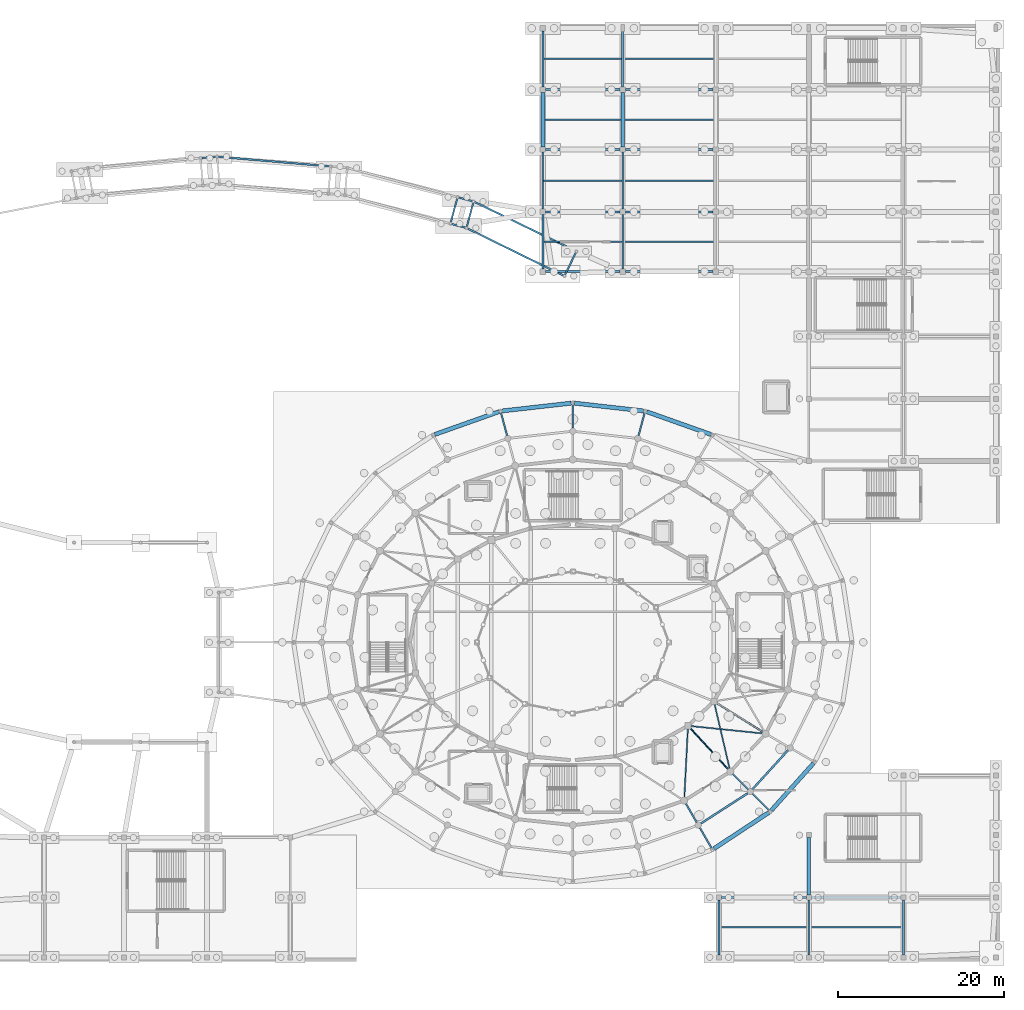
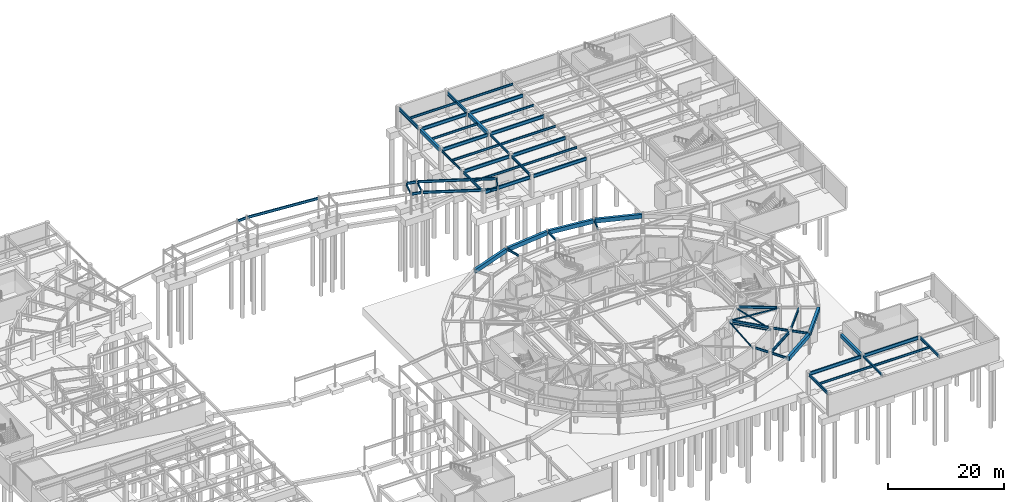
# One storey, part 32 of 68: 58 beams, 4 members.
"""IFC4 building model written with IfcOpenShell, lengths in metres."""

from ifc_helpers import new_model, si_unit, direction, frame, origin, origin_2d, place, context, subcontext, project, spatial, rectangle, hollow_rectangle, i_section, extrude, material, material_profile, profile_set, type_object, element, save


model = new_model("IFC4")

# Units and contexts
model_context = context("Model", 3, precision=1e-05, world=origin(), true_north=direction((0.0, 1.0)))
body_context = subcontext(model_context, "Body", "Model", "MODEL_VIEW")
ifc_project = project(units=[si_unit("LENGTHUNIT", "METRE"), si_unit("AREAUNIT", "SQUARE_METRE"), si_unit("VOLUMEUNIT", "CUBIC_METRE"), si_unit("PLANEANGLEUNIT", "RADIAN"), si_unit("MASSUNIT", "GRAM", prefix="KILO")], contexts=[model_context])

# Site, building, storey
site_placement = place(None, origin())
site = spatial("IfcSite", under=ifc_project, at=site_placement, CompositionType="ELEMENT")
building_placement = place(site_placement, origin())
building = spatial("IfcBuilding", under=site, at=building_placement, Name="Cinderbank Siding Concert Hall", CompositionType="ELEMENT")
storey_placement = place(building_placement, frame((0.0, 0.0, -4.800048828125)))
storey = spatial("IfcBuildingStorey", under=building, at=storey_placement, Name="B1", CompositionType="ELEMENT", Elevation=-4.800048828125)

# Beams
ifc_material_1 = material(Name="Reinforced concrete AS 3600 N50 (50 MPa)", Category="concrete")
ifc_material_profile_1 = material_profile(ifc_material_1, rectangle(XDim=0.449951171875, YDim=0.75, at=origin_2d()), Name="RC-BM-450x750", Category="LoadBearing")
ifc_profile_set_1 = profile_set([ifc_material_profile_1], Name="Reinforced concrete AS 3600 N50 (50 MPa)")
beam_type_1 = type_object("IfcBeamType", Name="BM-RC750 RC-BM-450x750", PredefinedType="BEAM", material=ifc_profile_set_1)
for number, where, z_axis, x_axis, name in (
    (1, (118.39990234375, 103.616943359375, 4.10693359375), (0.0, 1.0, 0.0), (-1.0, 0.0, 0.0), "B1 Beam BM-RC750 #1105"),
    (2, (128.0, 103.616943359375, 4.10693359375), (0.0, 1.0, 0.0), (-1.0, 0.0, 0.0), "B1 Beam BM-RC750 #1113"),
):
    element("IfcBeam", number, at=place(storey_placement, frame(where, z_axis=z_axis, x_axis=x_axis)), inside=storey, type_object=beam_type_1, Name=name, PredefinedType="BEAM", context=body_context, shape_type="SweptSolid", body=[
        extrude(rectangle(XDim=0.449951171875, YDim=0.75, at=origin_2d()), origin(), (0.0, 0.0, 1.0), 6.566162109375),
    ])
beam_1_placement = place(storey_placement, frame((150.39990234375, 13.592041015625, 4.126953125), z_axis=(0.0, 1.0, 0.0), x_axis=(-1.0, 0.0, 0.0)))
element("IfcBeam", 3, at=beam_1_placement, inside=storey, type_object=beam_type_1, Name="B1 Beam BM-RC750 #1161", PredefinedType="BEAM", context=body_context, shape_type="SweptSolid", body=[
    extrude(rectangle(XDim=0.449951171875, YDim=0.75, at=origin_2d()), origin(), (0.0, 0.0, 1.0), 6.916015625),
])
ifc_material_profile_2 = material_profile(ifc_material_1, rectangle(XDim=0.5, YDim=0.85009765625, at=origin_2d()), Name="RC-BM-500x850", Category="LoadBearing")
ifc_profile_set_2 = profile_set([ifc_material_profile_2], Name="Reinforced concrete AS 3600 N50 (50 MPa)")
beam_type_2 = type_object("IfcBeamType", Name="BM-RC850 RC-BM-500x850", PredefinedType="BEAM", material=ifc_profile_set_2)
beam_2_placement = place(storey_placement, frame((138.6162109375, 69.0068359375, 4.09716796875), z_axis=(-0.942369378189, 0.334574289287, 0.0), x_axis=(-0.334574289287, -0.942369378189, 0.0)))
element("IfcBeam", 4, at=beam_2_placement, inside=storey, type_object=beam_type_2, Name="B1 Beam BM-RC850 #254", PredefinedType="BEAM", context=body_context, shape_type="SweptSolid", body=[
    extrude(rectangle(XDim=0.5, YDim=0.85009765625, at=origin_2d()), origin(), (0.0, 0.0, 1.0), 8.209228515625),
])
for number, where, z_axis, x_axis, name in (
    (5, (130.502197265625, 71.840576171875, 4.09716796875), (-0.993693548107, 0.112129980157, 0.0), (-0.112129980157, -0.993693548107, 0.0), "B1 Beam BM-RC850 #255"),
    (6, (121.805908203125, 72.778076171875, 4.09716796875), (-0.993693548107, -0.112129980157, 0.0), (0.112129980157, -0.993693548107, 0.0), "B1 Beam BM-RC850 #256"),
):
    element("IfcBeam", number, at=place(storey_placement, frame(where, z_axis=z_axis, x_axis=x_axis)), inside=storey, type_object=beam_type_2, Name=name, PredefinedType="BEAM", context=body_context, shape_type="SweptSolid", body=[
        extrude(rectangle(XDim=0.5, YDim=0.85009765625, at=origin_2d()), origin(), (0.0, 0.0, 1.0), 8.36083984375),
    ])
beam_3_placement = place(storey_placement, frame((113.119873046875, 71.75341796875, 4.09716796875), z_axis=(-0.942369378189, -0.334574289287, 0.0), x_axis=(0.334574289287, -0.942369378189, 0.0)))
element("IfcBeam", 7, at=beam_3_placement, inside=storey, type_object=beam_type_2, Name="B1 Beam BM-RC850 #257", PredefinedType="BEAM", context=body_context, shape_type="SweptSolid", body=[
    extrude(rectangle(XDim=0.5, YDim=0.85009765625, at=origin_2d()), origin(), (0.0, 0.0, 1.0), 8.209228515625),
])
beam_4_placement = place(storey_placement, frame((138.963134765625, 19.165771484375, 4.0771484375), z_axis=(0.835488051266, 0.549508613392, 0.0), x_axis=(-0.549508613392, 0.835488051266, 0.0)))
element("IfcBeam", 8, at=beam_4_placement, inside=storey, type_object=beam_type_2, Name="B1 Beam BM-RC850 #270", PredefinedType="BEAM", context=body_context, shape_type="SweptSolid", body=[
    extrude(rectangle(XDim=0.5, YDim=0.85009765625, at=origin_2d()), origin(), (0.0, 0.0, 1.0), 7.9384765625),
])
beam_5_placement = place(storey_placement, frame((145.888916015625, 23.78076171875, 4.0771484375), z_axis=(0.66699631625, 0.745061013682, 0.0), x_axis=(-0.745061013682, 0.66699631625, 0.0)))
element("IfcBeam", 9, at=beam_5_placement, inside=storey, type_object=beam_type_2, Name="B1 Beam BM-RC850 #271", PredefinedType="BEAM", context=body_context, shape_type="SweptSolid", body=[
    extrude(rectangle(XDim=0.5, YDim=0.85009765625, at=origin_2d()), origin(), (0.0, 0.0, 1.0), 7.615234375),
])
ifc_material_2 = material(Name="Structural steel AS/NZS 3679.1 Grade 350 (340 MPa)", Category="steel")
ifc_material_profile_3 = material_profile(ifc_material_2, i_section(OverallWidth=0.18994140625, OverallDepth=0.45751953125, WebThickness=0.009033203125, FlangeThickness=0.014404296875, at=origin_2d()), Name="460UB74.6", Category="LoadBearing")
ifc_profile_set_3 = profile_set([ifc_material_profile_3], Name="Structural steel AS/NZS 3679.1 Grade 350 (340 MPa)")
beam_type_3 = type_object("IfcBeamType", Name="BM-UB460 460UB74.6", PredefinedType="BEAM", material=ifc_profile_set_3)
beam_6_placement = place(storey_placement, frame((108.088134765625, 97.412353515625, 4.25146484375), z_axis=(-0.258861178381, -0.965914535726, 0.0), x_axis=(0.965914535726, -0.258861178381, 0.0)))
element("IfcBeam", 10, at=beam_6_placement, inside=storey, type_object=beam_type_3, Name="B1 Beam BM-UB460 #55", PredefinedType="BEAM", context=body_context, shape_type="SweptSolid", body=[
    extrude(i_section(OverallWidth=0.18994140625, OverallDepth=0.45751953125, WebThickness=0.009033203125, FlangeThickness=0.014404296875, at=origin_2d()), origin(), (0.0, 0.0, 1.0), 2.99169921875),
])
beam_7_placement = place(storey_placement, frame((110.020263671875, 96.895263671875, 4.25146484375), z_axis=(-0.258779582665, -0.965936399353, 0.0), x_axis=(0.965936399353, -0.258779582665, 0.0)))
element("IfcBeam", 11, at=beam_7_placement, inside=storey, type_object=beam_type_3, Name="B1 Beam BM-UB460 #58", PredefinedType="BEAM", context=body_context, shape_type="SweptSolid", body=[
    extrude(i_section(OverallWidth=0.18994140625, OverallDepth=0.45751953125, WebThickness=0.009033203125, FlangeThickness=0.014404296875, at=origin_2d()), origin(), (0.0, 0.0, 1.0), 2.99267578125),
])
beam_8_placement = place(storey_placement, frame((122.368408203125, 90.902587890625, 4.25146484375), z_axis=(-0.438478287623, -0.898741782317, 0.0), x_axis=(0.898741782317, -0.438478287623, 0.0)))
element("IfcBeam", 12, at=beam_8_placement, inside=storey, type_object=beam_type_3, Name="B1 Beam BM-UB460 #61", PredefinedType="BEAM", context=body_context, shape_type="SweptSolid", body=[
    extrude(i_section(OverallWidth=0.18994140625, OverallDepth=0.45751953125, WebThickness=0.009033203125, FlangeThickness=0.014404296875, at=origin_2d()), origin(), (0.0, 0.0, 1.0), 2.9921875),
])
for number, where, z_axis, x_axis, name in (
    (13, (118.39990234375, 96.116943359375, 4.25341796875), (0.0, 1.0, 0.0), (-1.0, 0.0, 0.0), "B1 Beam BM-UB460 #1103"),
    (14, (128.0, 96.116943359375, 4.25341796875), (0.0, 1.0, 0.0), (-1.0, 0.0, 0.0), "B1 Beam BM-UB460 #1111"),
):
    element("IfcBeam", number, at=place(storey_placement, frame(where, z_axis=z_axis, x_axis=x_axis)), inside=storey, type_object=beam_type_3, Name=name, PredefinedType="BEAM", context=body_context, shape_type="SweptSolid", body=[
        extrude(i_section(OverallWidth=0.18994140625, OverallDepth=0.45751953125, WebThickness=0.009033203125, FlangeThickness=0.014404296875, at=origin_2d()), origin(), (0.0, 0.0, 1.0), 6.865966796875),
    ])
beam_9_placement = place(storey_placement, frame((150.39990234375, 6.39208984375, 4.2734375), z_axis=(0.0, 1.0, 0.0), x_axis=(-1.0, 0.0, 0.0)))
element("IfcBeam", 15, at=beam_9_placement, inside=storey, type_object=beam_type_3, Name="B1 Beam BM-UB460 #1159", PredefinedType="BEAM", context=body_context, shape_type="SweptSolid", body=[
    extrude(i_section(OverallWidth=0.18994140625, OverallDepth=0.45751953125, WebThickness=0.009033203125, FlangeThickness=0.014404296875, at=origin_2d()), origin(), (0.0, 0.0, 1.0), 6.615966796875),
])
ifc_material_profile_4 = material_profile(ifc_material_2, i_section(OverallWidth=0.19091796875, OverallDepth=0.46044921875, WebThickness=0.010009765625, FlangeThickness=0.01611328125, at=origin_2d()), Name="460UB82.1", Category="LoadBearing")
ifc_profile_set_4 = profile_set([ifc_material_profile_4], Name="Structural steel AS/NZS 3679.1 Grade 350 (340 MPa)")
beam_type_4 = type_object("IfcBeamType", Name="BM-UB460H 460UB82.1", PredefinedType="BEAM", material=ifc_profile_set_4)
for number, where, z_axis, x_axis, name in (
    (16, (135.6083984375, 24.586181640625, 4.251953125), (0.500053675867, -0.86599441179, 0.0), (0.86599441179, 0.500053675867, 0.0), "B1 Beam BM-UB460H #304"),
    (17, (141.245361328125, 28.148681640625, 4.251953125), (0.707153444121, -0.707060115172, 0.0), (0.707060115172, 0.707153444121, 0.0), "B1 Beam BM-UB460H #305"),
):
    element("IfcBeam", number, at=place(storey_placement, frame(where, z_axis=z_axis, x_axis=x_axis)), inside=storey, type_object=beam_type_4, Name=name, PredefinedType="BEAM", context=body_context, shape_type="SweptSolid", body=[
        extrude(i_section(OverallWidth=0.19091796875, OverallDepth=0.46044921875, WebThickness=0.010009765625, FlangeThickness=0.01611328125, at=origin_2d()), origin(), (0.0, 0.0, 1.0), 2.615966796875),
    ])
beam_10_placement = place(storey_placement, frame((129.911376953125, 68.888916015625, 4.291748046875), z_axis=(0.258776220076, 0.965937300203, 0.0), x_axis=(-0.965937300203, 0.258776220076, 0.0)))
element("IfcBeam", 18, at=beam_10_placement, inside=storey, type_object=beam_type_4, Name="B1 Beam BM-UB460H #314", PredefinedType="BEAM", context=body_context, shape_type="SweptSolid", body=[
    extrude(i_section(OverallWidth=0.19091796875, OverallDepth=0.46044921875, WebThickness=0.010009765625, FlangeThickness=0.01611328125, at=origin_2d()), origin(), (0.0, 0.0, 1.0), 2.837890625),
])
beam_11_placement = place(storey_placement, frame((122.0, 69.76708984375, 4.291748046875), z_axis=(0.0, 1.0, 0.0), x_axis=(-1.0, 0.0, 0.0)))
element("IfcBeam", 19, at=beam_11_placement, inside=storey, type_object=beam_type_4, Name="B1 Beam BM-UB460H #315", PredefinedType="BEAM", context=body_context, shape_type="SweptSolid", body=[
    extrude(i_section(OverallWidth=0.19091796875, OverallDepth=0.46044921875, WebThickness=0.010009765625, FlangeThickness=0.01611328125, at=origin_2d()), origin(), (0.0, 0.0, 1.0), 2.837646484375),
])
for number, where, z_axis, x_axis, name in (
    (20, (114.088623046875, 68.888916015625, 4.291748046875), (-0.258776220076, 0.965937300203, 0.0), (-0.965937300203, -0.258776220076, 0.0), "B1 Beam BM-UB460H #316"),
    (21, (137.283447265625, 21.685302734375, 4.291748046875), (0.499988053408, -0.866032301043, 0.0), (0.866032301043, 0.499988053408, 0.0), "B1 Beam BM-UB460H #329"),
):
    element("IfcBeam", number, at=place(storey_placement, frame(where, z_axis=z_axis, x_axis=x_axis)), inside=storey, type_object=beam_type_4, Name=name, PredefinedType="BEAM", context=body_context, shape_type="SweptSolid", body=[
        extrude(i_section(OverallWidth=0.19091796875, OverallDepth=0.46044921875, WebThickness=0.010009765625, FlangeThickness=0.01611328125, at=origin_2d()), origin(), (0.0, 0.0, 1.0), 2.837890625),
    ])
beam_12_placement = place(storey_placement, frame((143.614013671875, 25.780029296875, 4.291748046875), z_axis=(0.707106781187, -0.707106781187, 0.0), x_axis=(0.707106781187, 0.707106781187, 0.0)))
element("IfcBeam", 22, at=beam_12_placement, inside=storey, type_object=beam_type_4, Name="B1 Beam BM-UB460H #330", PredefinedType="BEAM", context=body_context, shape_type="SweptSolid", body=[
    extrude(i_section(OverallWidth=0.19091796875, OverallDepth=0.46044921875, WebThickness=0.010009765625, FlangeThickness=0.01611328125, at=origin_2d()), origin(), (0.0, 0.0, 1.0), 2.838134765625),
])
ifc_material_profile_5 = material_profile(ifc_material_2, i_section(OverallWidth=0.208984375, OverallDepth=0.5283203125, WebThickness=0.009521484375, FlangeThickness=0.01318359375, at=origin_2d()), Name="530UB82.0", Category="LoadBearing")
ifc_profile_set_5 = profile_set([ifc_material_profile_5], Name="Structural steel AS/NZS 3679.1 Grade 350 (340 MPa)")
beam_type_5 = type_object("IfcBeamType", Name="BM-UB530 530UB82.0", PredefinedType="BEAM", material=ifc_profile_set_5)
beam_13_placement = place(storey_placement, frame((77.3544921875, 102.2744140625, 4.216064453125), z_axis=(0.996159508909, 0.087557026051, 0.0), x_axis=(-0.087557026051, 0.996159508909, 0.0)))
element("IfcBeam", 23, at=beam_13_placement, inside=storey, type_object=beam_type_5, Name="B1 Beam BM-UB530 #44", PredefinedType="BEAM", context=body_context, shape_type="SweptSolid", body=[
    extrude(i_section(OverallWidth=0.208984375, OverallDepth=0.5283203125, WebThickness=0.009521484375, FlangeThickness=0.01318359375, at=origin_2d()), origin(), (0.0, 0.0, 1.0), 1.692626953125),
])
beam_14_placement = place(storey_placement, frame((79.347412109375, 102.4228515625, 4.216064453125), z_axis=(0.996347754802, -0.085388239834, 0.0), x_axis=(0.085388239834, 0.996347754802, 0.0)))
element("IfcBeam", 24, at=beam_14_placement, inside=storey, type_object=beam_type_5, Name="B1 Beam BM-UB530 #47", PredefinedType="BEAM", context=body_context, shape_type="SweptSolid", body=[
    extrude(i_section(OverallWidth=0.208984375, OverallDepth=0.5283203125, WebThickness=0.009521484375, FlangeThickness=0.01318359375, at=origin_2d()), origin(), (0.0, 0.0, 1.0), 13.418212890625),
])
for number, where, z_axis, x_axis, name in (
    (25, (108.276611328125, 97.521240234375, 4.216064453125), (0.966004687382, -0.25852455194, 0.0), (0.25852455194, 0.966004687382, 0.0), "B1 Beam BM-UB530 #56"),
    (26, (107.422607421875, 94.333984375, 4.216064453125), (0.965932598469, -0.258793769661, 0.0), (0.258793769661, 0.965932598469, 0.0), "B1 Beam BM-UB530 #57"),
):
    element("IfcBeam", number, at=place(storey_placement, frame(where, z_axis=z_axis, x_axis=x_axis)), inside=storey, type_object=beam_type_5, Name=name, PredefinedType="BEAM", context=body_context, shape_type="SweptSolid", body=[
        extrude(i_section(OverallWidth=0.208984375, OverallDepth=0.5283203125, WebThickness=0.009521484375, FlangeThickness=0.01318359375, at=origin_2d()), origin(), (0.0, 0.0, 1.0), 1.6923828125),
    ])
beam_15_placement = place(storey_placement, frame((110.198486328125, 96.976806640625, 4.216064453125), z_axis=(0.89974368775, -0.436418716779, 0.0), x_axis=(0.436418716779, 0.89974368775, 0.0)))
element("IfcBeam", 27, at=beam_15_placement, inside=storey, type_object=beam_type_5, Name="B1 Beam BM-UB530 #59", PredefinedType="BEAM", context=body_context, shape_type="SweptSolid", body=[
    extrude(i_section(OverallWidth=0.208984375, OverallDepth=0.5283203125, WebThickness=0.009521484375, FlangeThickness=0.01318359375, at=origin_2d()), origin(), (0.0, 0.0, 1.0), 13.447265625),
])
beam_16_placement = place(storey_placement, frame((109.34423828125, 93.7880859375, 4.216064453125), z_axis=(0.897773350895, -0.440457728305, 0.0), x_axis=(0.440457728305, 0.897773350895, 0.0)))
element("IfcBeam", 28, at=beam_16_placement, inside=storey, type_object=beam_type_5, Name="B1 Beam BM-UB530 #60", PredefinedType="BEAM", context=body_context, shape_type="SweptSolid", body=[
    extrude(i_section(OverallWidth=0.208984375, OverallDepth=0.5283203125, WebThickness=0.009521484375, FlangeThickness=0.01318359375, at=origin_2d()), origin(), (0.0, 0.0, 1.0), 12.81689453125),
])
for number, where, z_axis, x_axis, name in (
    (29, (118.39990234375, 88.9169921875, 4.218017578125), (0.0, 1.0, 0.0), (-1.0, 0.0, 0.0), "B1 Beam BM-UB530 #1101"),
    (30, (128.0, 88.9169921875, 4.218017578125), (0.0, 1.0, 0.0), (-1.0, 0.0, 0.0), "B1 Beam BM-UB530 #1109"),
):
    element("IfcBeam", number, at=place(storey_placement, frame(where, z_axis=z_axis, x_axis=x_axis)), inside=storey, type_object=beam_type_5, Name=name, PredefinedType="BEAM", context=body_context, shape_type="SweptSolid", body=[
        extrude(i_section(OverallWidth=0.208984375, OverallDepth=0.5283203125, WebThickness=0.009521484375, FlangeThickness=0.01318359375, at=origin_2d()), origin(), (0.0, 0.0, 1.0), 6.56591796875),
    ])
ifc_material_profile_6 = material_profile(ifc_material_2, i_section(OverallWidth=0.208984375, OverallDepth=0.532958984375, WebThickness=0.01025390625, FlangeThickness=0.015625, at=origin_2d()), Name="530UB92.4", Category="LoadBearing")
ifc_profile_set_6 = profile_set([ifc_material_profile_6], Name="Structural steel AS/NZS 3679.1 Grade 350 (340 MPa)")
beam_type_6 = type_object("IfcBeamType", Name="BM-UB530H 530UB92.4", PredefinedType="BEAM", material=ifc_profile_set_6)
beam_17_placement = place(storey_placement, frame((136.108154296875, 33.689453125, 4.235595703125), z_axis=(0.678286136471, -0.734797874977, 0.0), x_axis=(0.734797874977, 0.678286136471, 0.0)))
element("IfcBeam", 31, at=beam_17_placement, inside=storey, type_object=beam_type_6, Name="B1 Beam BM-UB530H #282", PredefinedType="BEAM", context=body_context, shape_type="SweptSolid", body=[
    extrude(i_section(OverallWidth=0.208984375, OverallDepth=0.532958984375, WebThickness=0.01025390625, FlangeThickness=0.015625, at=origin_2d()), origin(), (0.0, 0.0, 1.0), 6.72216796875),
])
beam_18_placement = place(storey_placement, frame((139.26416015625, 36.718505859375, 4.235595703125), z_axis=(0.847831894761, -0.530265101836, 0.0), x_axis=(0.530265101836, 0.847831894761, 0.0)))
element("IfcBeam", 32, at=beam_18_placement, inside=storey, type_object=beam_type_6, Name="B1 Beam BM-UB530H #283", PredefinedType="BEAM", context=body_context, shape_type="SweptSolid", body=[
    extrude(i_section(OverallWidth=0.208984375, OverallDepth=0.532958984375, WebThickness=0.01025390625, FlangeThickness=0.015625, at=origin_2d()), origin(), (0.0, 0.0, 1.0), 6.595458984375),
])
ifc_material_profile_7 = material_profile(ifc_material_2, i_section(OverallWidth=0.22802734375, OverallDepth=0.602294921875, WebThickness=0.010498046875, FlangeThickness=0.014892578125, at=origin_2d()), Name="610UB101", Category="LoadBearing")
ifc_profile_set_7 = profile_set([ifc_material_profile_7], Name="Structural steel AS/NZS 3679.1 Grade 350 (340 MPa)")
beam_type_7 = type_object("IfcBeamType", Name="BM-UB610 610UB101", PredefinedType="BEAM", material=ifc_profile_set_7)
for number, where, z_axis, x_axis, name in (
    (33, (139.60009765625, 6.39208984375, 4.200927734375), (0.0, 1.0, 0.0), (-1.0, 0.0, 0.0), "B1 Beam BM-UB610 #1157"),
    (34, (161.800048828125, 6.39208984375, 4.200927734375), (0.0, 1.0, 0.0), (-1.0, 0.0, 0.0), "B1 Beam BM-UB610 #1162"),
):
    element("IfcBeam", number, at=place(storey_placement, frame(where, z_axis=z_axis, x_axis=x_axis)), inside=storey, type_object=beam_type_7, Name=name, PredefinedType="BEAM", context=body_context, shape_type="SweptSolid", body=[
        extrude(i_section(OverallWidth=0.22802734375, OverallDepth=0.602294921875, WebThickness=0.010498046875, FlangeThickness=0.014892578125, at=origin_2d()), origin(), (0.0, 0.0, 1.0), 6.615966796875),
    ])
ifc_material_profile_8 = material_profile(ifc_material_2, i_section(OverallWidth=0.22802734375, OverallDepth=0.60693359375, WebThickness=0.01123046875, FlangeThickness=0.017333984375, at=origin_2d()), Name="610UB113", Category="LoadBearing")
ifc_profile_set_8 = profile_set([ifc_material_profile_8], Name="Structural steel AS/NZS 3679.1 Grade 350 (340 MPa)")
beam_type_8 = type_object("IfcBeamType", Name="BM-UB610M 610UB113", PredefinedType="BEAM", material=ifc_profile_set_8)
beam_19_placement = place(storey_placement, frame((137.408447265625, 22.201904296875, 4.178466796875), z_axis=(0.840198253685, 0.542279350984, 0.0), x_axis=(-0.542279350984, 0.840198253685, 0.0)))
element("IfcBeam", 35, at=beam_19_placement, inside=storey, type_object=beam_type_8, Name="B1 Beam BM-UB610M #246", PredefinedType="BEAM", context=body_context, shape_type="SweptSolid", body=[
    extrude(i_section(OverallWidth=0.22802734375, OverallDepth=0.60693359375, WebThickness=0.01123046875, FlangeThickness=0.017333984375, at=origin_2d()), origin(), (0.0, 0.0, 1.0), 6.7099609375),
])
beam_20_placement = place(storey_placement, frame((143.60205078125, 26.310546875, 4.178466796875), z_axis=(0.673967477755, 0.738761016113, 0.0), x_axis=(-0.738761016113, 0.673967477755, 0.0)))
element("IfcBeam", 36, at=beam_20_placement, inside=storey, type_object=beam_type_8, Name="B1 Beam BM-UB610M #247", PredefinedType="BEAM", context=body_context, shape_type="SweptSolid", body=[
    extrude(i_section(OverallWidth=0.22802734375, OverallDepth=0.60693359375, WebThickness=0.01123046875, FlangeThickness=0.017333984375, at=origin_2d()), origin(), (0.0, 0.0, 1.0), 6.38671875),
])
ifc_material_3 = material(Name="Structural steel welded plate section AS/NZS 3679.2 / AS/NZS 3678 Grade 350 (340 MPa)", Category="steel")
ifc_material_profile_9 = material_profile(ifc_material_3, i_section(OverallWidth=0.25, OverallDepth=0.699951171875, WebThickness=0.010009765625, FlangeThickness=0.01611328125, at=origin_2d()), Name="700WB130", Category="LoadBearing")
ifc_profile_set_9 = profile_set([ifc_material_profile_9], Name="Structural steel welded plate section AS/NZS 3679.2 / AS/NZS 3678 Grade 350 (340 MPa)")
beam_type_9 = type_object("IfcBeamType", Name="BM-WB700 700WB130", PredefinedType="BEAM", material=ifc_profile_set_9)
for number, where, z_axis, x_axis, name in (
    (37, (118.717041015625, 88.60009765625, 4.132080078125), (1.0, 0.0, 0.0), (0.0, 1.0, 0.0), "B1 Beam BM-WB700 #1100"),
    (38, (118.717041015625, 95.800048828125, 4.132080078125), (1.0, 0.0, 0.0), (0.0, 1.0, 0.0), "B1 Beam BM-WB700 #1102"),
    (39, (118.717041015625, 103.300048828125, 4.132080078125), (1.0, 0.0, 0.0), (0.0, 1.0, 0.0), "B1 Beam BM-WB700 #1104"),
    (40, (118.717041015625, 110.5, 4.132080078125), (1.0, 0.0, 0.0), (0.0, 1.0, 0.0), "B1 Beam BM-WB700 #1106"),
):
    element("IfcBeam", number, at=place(storey_placement, frame(where, z_axis=z_axis, x_axis=x_axis)), inside=storey, type_object=beam_type_9, Name=name, PredefinedType="BEAM", context=body_context, shape_type="SweptSolid", body=[
        extrude(i_section(OverallWidth=0.25, OverallDepth=0.699951171875, WebThickness=0.010009765625, FlangeThickness=0.01611328125, at=origin_2d()), origin(), (0.0, 0.0, 1.0), 8.966064453125),
    ])
beam_21_placement = place(storey_placement, frame((118.39990234375, 110.81689453125, 4.132080078125), z_axis=(0.0, 1.0, 0.0), x_axis=(-1.0, 0.0, 0.0)))
element("IfcBeam", 41, at=beam_21_placement, inside=storey, type_object=beam_type_9, Name="B1 Beam BM-WB700 #1107", PredefinedType="BEAM", context=body_context, shape_type="SweptSolid", body=[
    extrude(i_section(OverallWidth=0.25, OverallDepth=0.699951171875, WebThickness=0.010009765625, FlangeThickness=0.01611328125, at=origin_2d()), origin(), (0.0, 0.0, 1.0), 6.76611328125),
])
for number, where, z_axis, x_axis, name in (
    (42, (128.31689453125, 88.60009765625, 4.132080078125), (1.0, 0.0, 0.0), (0.0, 1.0, 0.0), "B1 Beam BM-WB700 #1108"),
    (43, (128.31689453125, 95.800048828125, 4.132080078125), (1.0, 0.0, 0.0), (0.0, 1.0, 0.0), "B1 Beam BM-WB700 #1110"),
    (44, (128.31689453125, 103.300048828125, 4.132080078125), (1.0, 0.0, 0.0), (0.0, 1.0, 0.0), "B1 Beam BM-WB700 #1112"),
    (45, (128.31689453125, 110.5, 4.132080078125), (1.0, 0.0, 0.0), (0.0, 1.0, 0.0), "B1 Beam BM-WB700 #1114"),
):
    element("IfcBeam", number, at=place(storey_placement, frame(where, z_axis=z_axis, x_axis=x_axis)), inside=storey, type_object=beam_type_9, Name=name, PredefinedType="BEAM", context=body_context, shape_type="SweptSolid", body=[
        extrude(i_section(OverallWidth=0.25, OverallDepth=0.699951171875, WebThickness=0.010009765625, FlangeThickness=0.01611328125, at=origin_2d()), origin(), (0.0, 0.0, 1.0), 10.566162109375),
    ])
beam_22_placement = place(storey_placement, frame((128.0, 110.81689453125, 4.132080078125), z_axis=(0.0, 1.0, 0.0), x_axis=(-1.0, 0.0, 0.0)))
element("IfcBeam", 46, at=beam_22_placement, inside=storey, type_object=beam_type_9, Name="B1 Beam BM-WB700 #1115", PredefinedType="BEAM", context=body_context, shape_type="SweptSolid", body=[
    extrude(i_section(OverallWidth=0.25, OverallDepth=0.699951171875, WebThickness=0.010009765625, FlangeThickness=0.01611328125, at=origin_2d()), origin(), (0.0, 0.0, 1.0), 6.8662109375),
])
beam_23_placement = place(storey_placement, frame((139.89208984375, 13.300048828125, 4.152099609375), z_axis=(1.0, 0.0, 0.0), x_axis=(0.0, 1.0, 0.0)))
element("IfcBeam", 47, at=beam_23_placement, inside=storey, type_object=beam_type_9, Name="B1 Beam BM-WB700 #1158", PredefinedType="BEAM", context=body_context, shape_type="SweptSolid", body=[
    extrude(i_section(OverallWidth=0.25, OverallDepth=0.699951171875, WebThickness=0.010009765625, FlangeThickness=0.01611328125, at=origin_2d()), origin(), (0.0, 0.0, 1.0), 10.2158203125),
])
beam_24_placement = place(storey_placement, frame((150.69189453125, 13.300048828125, 4.152099609375), z_axis=(1.0, 0.0, 0.0), x_axis=(0.0, 1.0, 0.0)))
element("IfcBeam", 48, at=beam_24_placement, inside=storey, type_object=beam_type_9, Name="B1 Beam BM-WB700 #1160", PredefinedType="BEAM", context=body_context, shape_type="SweptSolid", body=[
    extrude(i_section(OverallWidth=0.25, OverallDepth=0.699951171875, WebThickness=0.010009765625, FlangeThickness=0.01611328125, at=origin_2d()), origin(), (0.0, 0.0, 1.0), 10.816162109375),
])
ifc_material_profile_10 = material_profile(ifc_material_2, i_section(OverallWidth=0.18994140625, OverallDepth=0.453857421875, WebThickness=0.008544921875, FlangeThickness=0.0126953125, at=origin_2d()), Name="460UB67.1", Category="LoadBearing")
ifc_profile_set_10 = profile_set([ifc_material_profile_10], Name="Structural steel AS/NZS 3679.1 Grade 350 (340 MPa)")
beam_type_10 = type_object("IfcBeamType", Name="JS-UB460 460UB67.1", PredefinedType="JOIST", material=ifc_profile_set_10)
beam_25_placement = place(storey_placement, frame((118.49658203125, 92.199951171875, 4.255126953125), z_axis=(1.0, 0.0, 0.0), x_axis=(0.0, 1.0, 0.0)))
element("IfcBeam", 49, at=beam_25_placement, inside=storey, type_object=beam_type_10, Name="B1 Beam JS-UB460 #1241", PredefinedType="JOIST", context=body_context, shape_type="SweptSolid", body=[
    extrude(i_section(OverallWidth=0.18994140625, OverallDepth=0.453857421875, WebThickness=0.008544921875, FlangeThickness=0.0126953125, at=origin_2d()), origin(), (0.0, 0.0, 1.0), 9.406982421875),
])
beam_26_placement = place(storey_placement, frame((118.487060546875, 99.550048828125, 4.255126953125), z_axis=(1.0, 0.0, 0.0), x_axis=(0.0, 1.0, 0.0)))
element("IfcBeam", 50, at=beam_26_placement, inside=storey, type_object=beam_type_10, Name="B1 Beam JS-UB460 #1242", PredefinedType="JOIST", context=body_context, shape_type="SweptSolid", body=[
    extrude(i_section(OverallWidth=0.18994140625, OverallDepth=0.453857421875, WebThickness=0.008544921875, FlangeThickness=0.0126953125, at=origin_2d()), origin(), (0.0, 0.0, 1.0), 9.426025390625),
])
beam_27_placement = place(storey_placement, frame((118.616943359375, 106.89990234375, 4.255126953125), z_axis=(1.0, 0.0, 0.0), x_axis=(0.0, 1.0, 0.0)))
element("IfcBeam", 51, at=beam_27_placement, inside=storey, type_object=beam_type_10, Name="B1 Beam JS-UB460 #1243", PredefinedType="JOIST", context=body_context, shape_type="SweptSolid", body=[
    extrude(i_section(OverallWidth=0.18994140625, OverallDepth=0.453857421875, WebThickness=0.008544921875, FlangeThickness=0.0126953125, at=origin_2d()), origin(), (0.0, 0.0, 1.0), 9.166015625),
])
beam_28_placement = place(storey_placement, frame((118.51708984375, 114.199951171875, 4.255126953125), z_axis=(1.0, 0.0, 0.0), x_axis=(0.0, 1.0, 0.0)))
element("IfcBeam", 52, at=beam_28_placement, inside=storey, type_object=beam_type_10, Name="B1 Beam JS-UB460 #1244", PredefinedType="JOIST", context=body_context, shape_type="SweptSolid", body=[
    extrude(i_section(OverallWidth=0.18994140625, OverallDepth=0.453857421875, WebThickness=0.008544921875, FlangeThickness=0.0126953125, at=origin_2d()), origin(), (0.0, 0.0, 1.0), 9.365966796875),
])
beam_29_placement = place(storey_placement, frame((128.096435546875, 92.199951171875, 4.255126953125), z_axis=(1.0, 0.0, 0.0), x_axis=(0.0, 1.0, 0.0)))
element("IfcBeam", 53, at=beam_29_placement, inside=storey, type_object=beam_type_10, Name="B1 Beam JS-UB460 #1245", PredefinedType="JOIST", context=body_context, shape_type="SweptSolid", body=[
    extrude(i_section(OverallWidth=0.18994140625, OverallDepth=0.453857421875, WebThickness=0.008544921875, FlangeThickness=0.0126953125, at=origin_2d()), origin(), (0.0, 0.0, 1.0), 11.007080078125),
])
beam_30_placement = place(storey_placement, frame((128.0869140625, 99.550048828125, 4.255126953125), z_axis=(1.0, 0.0, 0.0), x_axis=(0.0, 1.0, 0.0)))
element("IfcBeam", 54, at=beam_30_placement, inside=storey, type_object=beam_type_10, Name="B1 Beam JS-UB460 #1246", PredefinedType="JOIST", context=body_context, shape_type="SweptSolid", body=[
    extrude(i_section(OverallWidth=0.18994140625, OverallDepth=0.453857421875, WebThickness=0.008544921875, FlangeThickness=0.0126953125, at=origin_2d()), origin(), (0.0, 0.0, 1.0), 11.026123046875),
])
beam_31_placement = place(storey_placement, frame((128.217041015625, 106.89990234375, 4.255126953125), z_axis=(1.0, 0.0, 0.0), x_axis=(0.0, 1.0, 0.0)))
element("IfcBeam", 55, at=beam_31_placement, inside=storey, type_object=beam_type_10, Name="B1 Beam JS-UB460 #1247", PredefinedType="JOIST", context=body_context, shape_type="SweptSolid", body=[
    extrude(i_section(OverallWidth=0.18994140625, OverallDepth=0.453857421875, WebThickness=0.008544921875, FlangeThickness=0.0126953125, at=origin_2d()), origin(), (0.0, 0.0, 1.0), 10.765869140625),
])
beam_32_placement = place(storey_placement, frame((128.116943359375, 114.199951171875, 4.255126953125), z_axis=(1.0, 0.0, 0.0), x_axis=(0.0, 1.0, 0.0)))
element("IfcBeam", 56, at=beam_32_placement, inside=storey, type_object=beam_type_10, Name="B1 Beam JS-UB460 #1248", PredefinedType="JOIST", context=body_context, shape_type="SweptSolid", body=[
    extrude(i_section(OverallWidth=0.18994140625, OverallDepth=0.453857421875, WebThickness=0.008544921875, FlangeThickness=0.0126953125, at=origin_2d()), origin(), (0.0, 0.0, 1.0), 10.966064453125),
])
beam_33_placement = place(storey_placement, frame((139.7060546875, 9.699951171875, 4.275146484375), z_axis=(1.0, 0.0, 0.0), x_axis=(0.0, 1.0, 0.0)))
element("IfcBeam", 57, at=beam_33_placement, inside=storey, type_object=beam_type_10, Name="B1 Beam JS-UB460 #1262", PredefinedType="JOIST", context=body_context, shape_type="SweptSolid", body=[
    extrude(i_section(OverallWidth=0.18994140625, OverallDepth=0.453857421875, WebThickness=0.008544921875, FlangeThickness=0.0126953125, at=origin_2d()), origin(), (0.0, 0.0, 1.0), 10.60693359375),
])
beam_34_placement = place(storey_placement, frame((150.487060546875, 9.699951171875, 4.275146484375), z_axis=(1.0, 0.0, 0.0), x_axis=(0.0, 1.0, 0.0)))
element("IfcBeam", 58, at=beam_34_placement, inside=storey, type_object=beam_type_10, Name="B1 Beam JS-UB460 #1263", PredefinedType="JOIST", context=body_context, shape_type="SweptSolid", body=[
    extrude(i_section(OverallWidth=0.18994140625, OverallDepth=0.453857421875, WebThickness=0.008544921875, FlangeThickness=0.0126953125, at=origin_2d()), origin(), (0.0, 0.0, 1.0), 11.20703125),
])

# Members
ifc_material_4 = material(Name="Structural steel hollow section AS/NZS 1163 Grade C350L0 (350 MPa)", Category="steel")
ifc_material_profile_11 = material_profile(ifc_material_4, hollow_rectangle(XDim=0.10009765625, YDim=0.199951171875, WallThickness=0.008056640625, at=origin_2d()), Name="200x100x8.0RHS", Category="LoadBearing")
ifc_profile_set_11 = profile_set([ifc_material_profile_11], Name="Structural steel hollow section AS/NZS 1163 Grade C350L0 (350 MPa)")
member_type_1 = type_object("IfcMemberType", Name="PR-RHS200 200x100x8.0RHS Roof Truss", PredefinedType="PURLIN", material=ifc_profile_set_11)
member_1_placement = place(storey_placement, frame((135.859375, 33.958984375, 3.64013671875), z_axis=(0.678276049894, -0.734807185689, 0.0), x_axis=(0.734807185689, 0.678276049894, 0.0)))
element("IfcMember", 59, at=member_1_placement, inside=storey, type_object=member_type_1, Name="B1 Roof Truss Member PR-RHS200 #2175", PredefinedType="PURLIN", context=body_context, shape_type="SweptSolid", body=[
    extrude(hollow_rectangle(XDim=0.10009765625, YDim=0.199951171875, WallThickness=0.008056640625, at=origin_2d()), origin(), (0.0, 0.0, 1.0), 7.505859375),
])
ifc_material_profile_12 = material_profile(ifc_material_4, hollow_rectangle(XDim=0.14990234375, YDim=0.25, WallThickness=0.009033203125, at=origin_2d()), Name="250x150x9.0RHS", Category="LoadBearing")
ifc_profile_set_12 = profile_set([ifc_material_profile_12], Name="Structural steel hollow section AS/NZS 1163 Grade C350L0 (350 MPa)")
member_type_2 = type_object("IfcMemberType", Name="TR-RHS250 250x150x9.0RHS Roof Truss", PredefinedType="RAFTER", material=ifc_profile_set_12)
member_2_placement = place(storey_placement, frame((135.859375, 33.958984375, 3.900146484375), z_axis=(-0.050921362661, -0.998702665874, 0.0), x_axis=(0.998702665874, -0.050921362661, 0.0)))
element("IfcMember", 60, at=member_2_placement, inside=storey, type_object=member_type_2, Name="B1 Roof Truss Member TR-RHS250 #2172", PredefinedType="RAFTER", context=body_context, shape_type="SweptSolid", body=[
    extrude(hollow_rectangle(XDim=0.14990234375, YDim=0.25, WallThickness=0.009033203125, at=origin_2d()), origin(), (0.0, 0.0, 1.0), 9.023193359375),
])
member_3_placement = place(storey_placement, frame((135.859375, 33.958984375, 4.179931640625), z_axis=(0.994781438611, -0.102028865499, 0.0), x_axis=(0.102028865499, 0.994781438611, 0.0)))
element("IfcMember", 61, at=member_3_placement, inside=storey, type_object=member_type_2, Name="B1 Roof Truss Member TR-RHS250 #2173", PredefinedType="RAFTER", context=body_context, shape_type="SweptSolid", body=[
    extrude(hollow_rectangle(XDim=0.14990234375, YDim=0.25, WallThickness=0.009033203125, at=origin_2d()), origin(), (0.0, 0.0, 1.0), 9.399169921875),
])
member_4_placement = place(storey_placement, frame((138.97412109375, 36.89990234375, 3.900146484375), z_axis=(0.227577092084, -0.973760066525, 0.0), x_axis=(0.973760066525, 0.227577092084, 0.0)))
element("IfcMember", 62, at=member_4_placement, inside=storey, type_object=member_type_2, Name="B1 Roof Truss Member TR-RHS250 #2174", PredefinedType="RAFTER", context=body_context, shape_type="SweptSolid", body=[
    extrude(hollow_rectangle(XDim=0.14990234375, YDim=0.25, WallThickness=0.009033203125, at=origin_2d()), origin(), (0.0, 0.0, 1.0), 8.68408203125),
])

save(model, "model.ifc")
